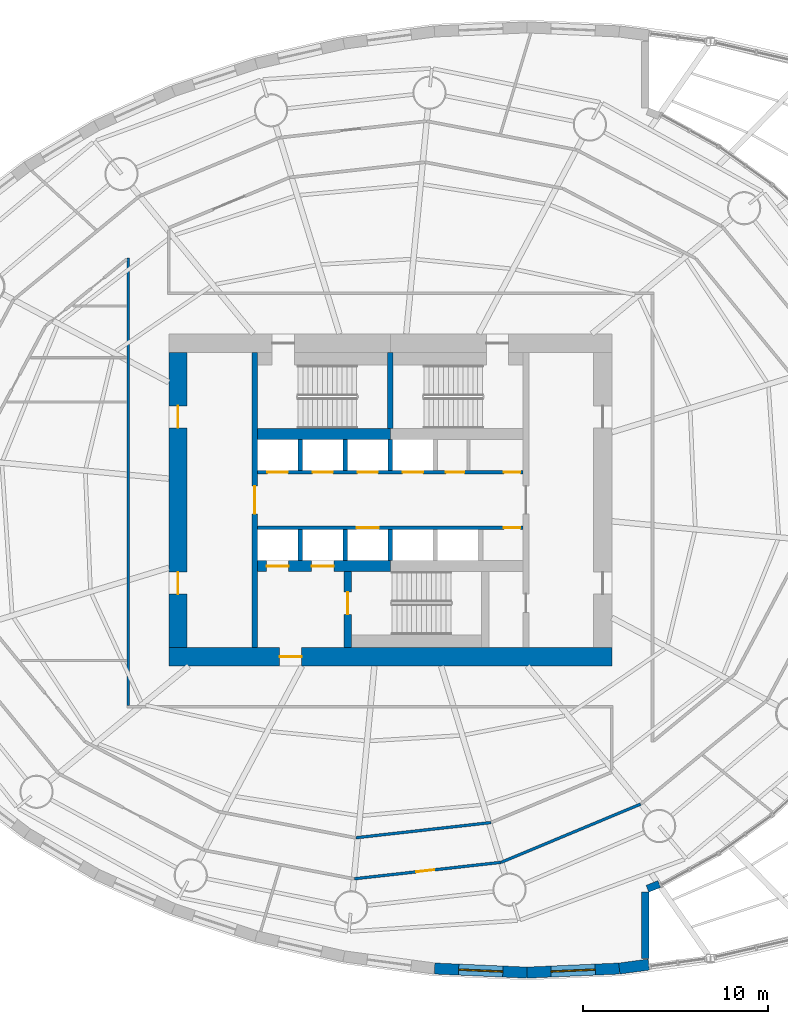
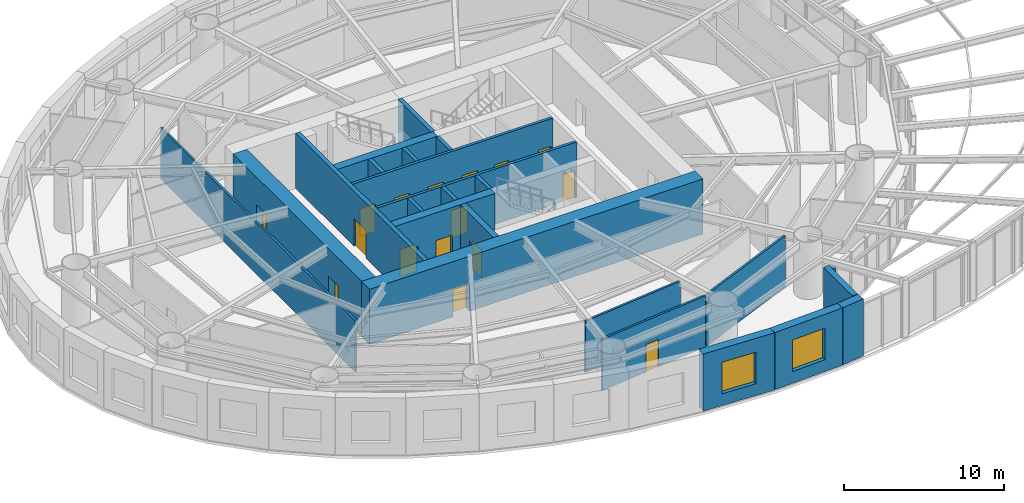
# One storey, part 19 of 23: 24 walls, 16 doors, 2 windows, 18 openings.
"""IFC4 building model written with IfcOpenShell, lengths in metres."""

from ifc_helpers import new_model, si_unit, direction, frame, frame_2d, origin, place, context, subcontext, project, spatial, rectangle, extrude, material, layer, layer_set, type_object, element, fill, save


model = new_model("IFC4")

# Units and contexts
model_context = context("Model", 3, precision=1e-05, world=origin(), true_north=direction((0.0, 1.0)))
body_context = subcontext(model_context, "Body", "Model", "MODEL_VIEW")
ifc_project = project(units=[si_unit("LENGTHUNIT", "METRE"), si_unit("AREAUNIT", "SQUARE_METRE"), si_unit("VOLUMEUNIT", "CUBIC_METRE"), si_unit("PLANEANGLEUNIT", "RADIAN"), si_unit("MASSUNIT", "GRAM", prefix="KILO")], contexts=[model_context])

# Site, building, storey
site_placement = place(None, origin())
site = spatial("IfcSite", under=ifc_project, at=site_placement, CompositionType="ELEMENT")
building_placement = place(site_placement, origin())
building = spatial("IfcBuilding", under=site, at=building_placement, Name="Vermilion Reach Broadcast Tower", CompositionType="ELEMENT")
storey_placement = place(building_placement, frame((0.0, 0.0, 31.5)))
storey = spatial("IfcBuildingStorey", under=building, at=storey_placement, Name="L04", CompositionType="ELEMENT", Elevation=31.5)

# Walls
ifc_material_1 = material(Name="Precast concrete C40/50 with acoustic cladding", Category="concrete")
ifc_layer_1 = layer(ifc_material_1, 0.39990234375)
ifc_layer_set_1 = layer_set([ifc_layer_1], Name="Atrium end wall 400")
wall_type_1 = type_object("IfcWallType", Name="Atrium end wall 400", PredefinedType="SOLIDWALL", material=ifc_layer_set_1)
wall_1_placement = place(storey_placement, frame((7.800048828125, -21.245849609375, 0.0), z_axis=(0.0, 0.0, 1.0), x_axis=(0.0, -1.0, 0.0)))
element("IfcWall", 1, at=wall_1_placement, inside=storey, type_object=wall_type_1, Name="Atrium end wall L04 2", PredefinedType="SOLIDWALL", context=body_context, shape_type="SweptSolid", body=[
    extrude(rectangle(XDim=3.599365234375, YDim=0.39990234375, at=frame_2d((1.7998046875, 0.0))), origin(), (0.0, 0.0, 1.0), 4.35009765625),
])
ifc_material_2 = material(Name="Precast concrete C40/50 with acoustic cladding", Category="concrete")
ifc_layer_2 = layer(ifc_material_2, 0.39990234375)
ifc_layer_set_2 = layer_set([ifc_layer_2], Name="Atrium end wall 400, head 488 below soffit")
wall_type_2 = type_object("IfcWallType", Name="Atrium end wall 400, head 488 below soffit", PredefinedType="SOLIDWALL", material=ifc_layer_set_2)
wall_2_placement = place(storey_placement, frame((8.57080078125, -20.799560546875, 0.0), z_axis=(0.0, 0.0, 1.0), x_axis=(-0.927141159757, -0.374712249444, 0.0)))
element("IfcWall", 2, at=wall_2_placement, inside=storey, type_object=wall_type_2, Name="Podium wall L04 dru17", PredefinedType="SOLIDWALL", context=body_context, shape_type="SweptSolid", body=[
    extrude(rectangle(XDim=0.696533203125, YDim=0.39990234375, at=frame_2d((0.34814453125, 0.0))), origin(), (0.0, 0.0, 1.0), 3.862060546875),
])

# Wall, opening, door
ifc_material_3 = material(Name="Concrete C70", Category="concrete")
ifc_layer_3 = layer(ifc_material_3, 0.300048828125)
ifc_layer_set_3 = layer_set([ifc_layer_3], Name="Core inner wall 300 mm Concrete C70")
wall_type_3 = type_object("IfcWallType", Name="Core inner wall 300 mm Concrete C70", PredefinedType="SHEAR", material=ifc_layer_set_3)
wall_3_placement = place(storey_placement, frame((-13.35009765625, 8.0, 0.0), z_axis=(0.0, 0.0, 1.0), x_axis=(0.0, -1.0, 0.0)))
wall_3 = element("IfcWall", 3, at=wall_3_placement, inside=storey, type_object=wall_type_3, Name="L04 core wall ewW", PredefinedType="SHEAR", context=body_context, shape_type="SweptSolid", body=[
    extrude(rectangle(XDim=16.0, YDim=0.300048828125, at=frame_2d((8.0, 0.0))), origin(), (0.0, 0.0, 1.0), 4.199951171875),
])
opening_1_placement = place(wall_3_placement, frame((7.25, 0.0, 0.0)))
opening_1 = element("IfcOpeningElement", 4, at=opening_1_placement, cuts=wall_3, Name="Opening D04", PredefinedType="OPENING", context=body_context, shape_type="SweptSolid", body=[
    extrude(rectangle(XDim=1.5, YDim=2.10009765625, at=frame_2d((0.75, 1.050048828125))), frame((0.0, 0.159912109375, 0.0), z_axis=(0.0, -1.0, 0.0), x_axis=(1.0, 0.0, 0.0)), (0.0, 0.0, 1.0), 0.320068359375),
])
ifc_material_4 = material(Name="Painted steel fire door", Category="steel")
door_type_1 = type_object("IfcDoorType", Name="Lift lobby door 1500 x 2100", OperationType="DOUBLE_DOOR_SINGLE_SWING", PredefinedType="NOTDEFINED", material=ifc_material_4)
door_1_placement = place(opening_1_placement, origin())
door_1 = element("IfcDoor", 5, at=door_1_placement, inside=storey, type_object=door_type_1, Name="L04 band door BW", OperationType="DOUBLE_DOOR_SINGLE_SWING", OverallHeight=2.10009765625, OverallWidth=1.5, PredefinedType="NOTDEFINED", context=body_context, shape_type="SweptSolid", body=[
    extrude(rectangle(XDim=1.5, YDim=2.10009765625, at=frame_2d((0.75, 1.050048828125))), frame((0.0, 0.02490234375, 0.0), z_axis=(0.0, -1.0, 0.0), x_axis=(1.0, 0.0, 0.0)), (0.0, 0.0, 1.0), 0.050048828125),
])
fill(opening_1, door_1)

# Wall
wall_4_placement = place(storey_placement, frame((-6.0, 3.8798828125, 0.0), z_axis=(0.0, 0.0, 1.0), x_axis=(0.0, 1.0, 0.0)))
element("IfcWall", 6, at=wall_4_placement, inside=storey, type_object=wall_type_3, Name="L04 core wall wc", PredefinedType="SHEAR", context=body_context, shape_type="SweptSolid", body=[
    extrude(rectangle(XDim=4.1201171875, YDim=0.300048828125, at=frame_2d((2.06005859375, 0.0))), origin(), (0.0, 0.0, 1.0), 4.199951171875),
])

# Wall, opening, door
ifc_material_5 = material(Name="Concrete C70", Category="concrete")
ifc_layer_4 = layer(ifc_material_5, 0.39990234375)
ifc_layer_set_4 = layer_set([ifc_layer_4], Name="Core inner wall 400 mm Concrete C70")
wall_type_4 = type_object("IfcWallType", Name="Core inner wall 400 mm Concrete C70", PredefinedType="SHEAR", material=ifc_layer_set_4)
wall_5_placement = place(storey_placement, frame((-8.300048828125, -3.8798828125, 0.0), z_axis=(0.0, 0.0, 1.0), x_axis=(0.0, -1.0, 0.0)))
wall_5 = element("IfcWall", 7, at=wall_5_placement, inside=storey, type_object=wall_type_4, Name="L04 core wall wa", PredefinedType="SHEAR", context=body_context, shape_type="SweptSolid", body=[
    extrude(rectangle(XDim=4.1201171875, YDim=0.39990234375, at=frame_2d((2.06005859375, 0.0))), origin(), (0.0, 0.0, 1.0), 4.199951171875),
])
opening_2_placement = place(wall_5_placement, frame((1.110107421875, 0.0, 0.0)))
opening_2 = element("IfcOpeningElement", 8, at=opening_2_placement, cuts=wall_5, Name="Opening D01", PredefinedType="OPENING", context=body_context, shape_type="SweptSolid", body=[
    extrude(rectangle(XDim=1.199951171875, YDim=2.10009765625, at=frame_2d((0.60009765625, 1.050048828125))), frame((0.0, 0.2099609375, 0.0), z_axis=(0.0, -1.0, 0.0), x_axis=(1.0, 0.0, 0.0)), (0.0, 0.0, 1.0), 0.419921875),
])
ifc_material_6 = material(Name="Painted steel fire door", Category="steel")
door_type_2 = type_object("IfcDoorType", Name="Stair door 1200 x 2100", OperationType="DOUBLE_DOOR_SINGLE_SWING", PredefinedType="NOTDEFINED", material=ifc_material_6)
door_2_placement = place(opening_2_placement, origin())
door_2 = element("IfcDoor", 9, at=door_2_placement, inside=storey, type_object=door_type_2, Name="L04 stair door ST3", OperationType="DOUBLE_DOOR_SINGLE_SWING", OverallHeight=2.10009765625, OverallWidth=1.199951171875, PredefinedType="NOTDEFINED", context=body_context, shape_type="SweptSolid", body=[
    extrude(rectangle(XDim=1.199951171875, YDim=2.10009765625, at=frame_2d((0.60009765625, 1.050048828125))), frame((0.0, 0.02490234375, 0.0), z_axis=(0.0, -1.0, 0.0), x_axis=(1.0, 0.0, 0.0)), (0.0, 0.0, 1.0), 0.050048828125),
])
fill(opening_2, door_2)

# Wall
ifc_material_7 = material(Name="Concrete C70", Category="concrete")
ifc_layer_5 = layer(ifc_material_7, 0.60009765625)
ifc_layer_set_5 = layer_set([ifc_layer_5], Name="Core inner wall 600 mm Concrete C70")
wall_type_5 = type_object("IfcWallType", Name="Core inner wall 600 mm Concrete C70", PredefinedType="SHEAR", material=ifc_layer_set_5)
wall_6_placement = place(storey_placement, frame((-13.199951171875, 3.580078125, 0.0), z_axis=(0.0, 0.0, 1.0), x_axis=(1.0, 0.0, 0.0)))
element("IfcWall", 10, at=wall_6_placement, inside=storey, type_object=wall_type_5, Name="L04 core wall winW", PredefinedType="SHEAR", context=body_context, shape_type="SweptSolid", body=[
    extrude(rectangle(XDim=7.199951171875, YDim=0.60009765625, at=frame_2d((3.60009765625, 0.0))), origin(), (0.0, 0.0, 1.0), 4.199951171875),
])

# Wall, openings, doors
wall_7_placement = place(storey_placement, frame((-13.199951171875, -3.580078125, 0.0), z_axis=(0.0, 0.0, 1.0), x_axis=(1.0, 0.0, 0.0)))
wall_7 = element("IfcWall", 11, at=wall_7_placement, inside=storey, type_object=wall_type_5, Name="L04 core wall wisW", PredefinedType="SHEAR", context=body_context, shape_type="SweptSolid", body=[
    extrude(rectangle(XDim=7.199951171875, YDim=0.60009765625, at=frame_2d((3.60009765625, 0.0))), origin(), (0.0, 0.0, 1.0), 4.199951171875),
])
opening_3_placement = place(wall_7_placement, frame((0.495849609375, 0.0, 0.0)))
opening_3 = element("IfcOpeningElement", 12, at=opening_3_placement, cuts=wall_7, Name="Opening LD1", PredefinedType="OPENING", context=body_context, shape_type="SweptSolid", body=[
    extrude(rectangle(XDim=1.199951171875, YDim=2.10009765625, at=frame_2d((0.60009765625, 1.050048828125))), frame((0.0, 0.31005859375, 0.0), z_axis=(0.0, -1.0, 0.0), x_axis=(1.0, 0.0, 0.0)), (0.0, 0.0, 1.0), 0.6201171875),
])
opening_4_placement = place(wall_7_placement, frame((2.9375, 0.0, 0.0)))
opening_4 = element("IfcOpeningElement", 13, at=opening_4_placement, cuts=wall_7, Name="Opening LD1", PredefinedType="OPENING", context=body_context, shape_type="SweptSolid", body=[
    extrude(rectangle(XDim=1.199951171875, YDim=2.10009765625, at=frame_2d((0.60009765625, 1.050048828125))), frame((0.0, 0.31005859375, 0.0), z_axis=(0.0, -1.0, 0.0), x_axis=(1.0, 0.0, 0.0)), (0.0, 0.0, 1.0), 0.6201171875),
])
ifc_material_8 = material(Name="Stainless steel", Category="steel")
door_type_3 = type_object("IfcDoorType", Name="Landing door 1200 x 2100", OperationType="DOUBLE_DOOR_SLIDING", PredefinedType="NOTDEFINED", material=ifc_material_8)
door_3_placement = place(opening_3_placement, origin())
door_3 = element("IfcDoor", 14, at=door_3_placement, inside=storey, type_object=door_type_3, Name="L04 landing door FF1", OperationType="DOUBLE_DOOR_SLIDING", OverallHeight=2.10009765625, OverallWidth=1.199951171875, PredefinedType="NOTDEFINED", context=body_context, shape_type="SweptSolid", body=[
    extrude(rectangle(XDim=1.199951171875, YDim=2.10009765625, at=frame_2d((0.60009765625, 1.050048828125))), frame((0.0, 0.02490234375, 0.0), z_axis=(0.0, -1.0, 0.0), x_axis=(1.0, 0.0, 0.0)), (0.0, 0.0, 1.0), 0.050048828125),
])
fill(opening_3, door_3)
door_4_placement = place(opening_4_placement, origin())
door_4 = element("IfcDoor", 15, at=door_4_placement, inside=storey, type_object=door_type_3, Name="L04 landing door FF2", OperationType="DOUBLE_DOOR_SLIDING", OverallHeight=2.10009765625, OverallWidth=1.199951171875, PredefinedType="NOTDEFINED", context=body_context, shape_type="SweptSolid", body=[
    extrude(rectangle(XDim=1.199951171875, YDim=2.10009765625, at=frame_2d((0.60009765625, 1.050048828125))), frame((0.0, 0.02490234375, 0.0), z_axis=(0.0, -1.0, 0.0), x_axis=(1.0, 0.0, 0.0)), (0.0, 0.0, 1.0), 0.050048828125),
])
fill(opening_4, door_4)

# Wall, opening, door
ifc_material_9 = material(Name="Concrete C70", Category="concrete")
ifc_layer_6 = layer(ifc_material_9, 1.0)
ifc_layer_set_6 = layer_set([ifc_layer_6], Name="Core outer wall 1000 mm Concrete C70")
wall_type_6 = type_object("IfcWallType", Name="Core outer wall 1000 mm Concrete C70", PredefinedType="SHEAR", material=ifc_layer_set_6)
wall_8_placement = place(storey_placement, frame((-18.0, -8.5, 0.0), z_axis=(0.0, 0.0, 1.0), x_axis=(1.0, 0.0, 0.0)))
wall_8 = element("IfcWall", 16, at=wall_8_placement, inside=storey, type_object=wall_type_6, Name="L04 core wall os", PredefinedType="SHEAR", context=body_context, shape_type="SweptSolid", body=[
    extrude(rectangle(XDim=24.0, YDim=1.0, at=frame_2d((12.0, 0.0))), origin(), (0.0, 0.0, 1.0), 4.199951171875),
])
opening_5_placement = place(wall_8_placement, frame((6.0, 0.0, 0.0)))
opening_5 = element("IfcOpeningElement", 17, at=opening_5_placement, cuts=wall_8, Name="Opening D02", PredefinedType="OPENING", context=body_context, shape_type="SweptSolid", body=[
    extrude(rectangle(XDim=1.199951171875, YDim=2.10009765625, at=frame_2d((0.60009765625, 1.050048828125))), frame((0.0, 0.510009765625, 0.0), z_axis=(0.0, -1.0, 0.0), x_axis=(1.0, 0.0, 0.0)), (0.0, 0.0, 1.0), 1.02001953125),
])
ifc_material_10 = material(Name="Painted steel fire door", Category="steel")
door_type_4 = type_object("IfcDoorType", Name="Firefighting lobby door 1200 x 2100", OperationType="DOUBLE_DOOR_SINGLE_SWING", PredefinedType="NOTDEFINED", material=ifc_material_10)
door_5_placement = place(opening_5_placement, origin())
door_5 = element("IfcDoor", 18, at=door_5_placement, inside=storey, type_object=door_type_4, Name="L04 ffdoor door FFL", OperationType="DOUBLE_DOOR_SINGLE_SWING", OverallHeight=2.10009765625, OverallWidth=1.199951171875, PredefinedType="NOTDEFINED", context=body_context, shape_type="SweptSolid", body=[
    extrude(rectangle(XDim=1.199951171875, YDim=2.10009765625, at=frame_2d((0.60009765625, 1.050048828125))), frame((0.0, 0.02490234375, 0.0), z_axis=(0.0, -1.0, 0.0), x_axis=(1.0, 0.0, 0.0)), (0.0, 0.0, 1.0), 0.050048828125),
])
fill(opening_5, door_5)

# Wall, openings, doors
wall_9_placement = place(storey_placement, frame((-17.5, 8.0, 0.0), z_axis=(0.0, 0.0, 1.0), x_axis=(0.0, -1.0, 0.0)))
wall_9 = element("IfcWall", 19, at=wall_9_placement, inside=storey, type_object=wall_type_6, Name="L04 core wall ow", PredefinedType="SHEAR", context=body_context, shape_type="SweptSolid", body=[
    extrude(rectangle(XDim=16.0, YDim=1.0, at=frame_2d((8.0, 0.0))), origin(), (0.0, 0.0, 1.0), 4.199951171875),
])
opening_6_placement = place(wall_9_placement, frame((11.89990234375, 0.0, 0.0)))
opening_6 = element("IfcOpeningElement", 20, at=opening_6_placement, cuts=wall_9, Name="Opening D03", PredefinedType="OPENING", context=body_context, shape_type="SweptSolid", body=[
    extrude(rectangle(XDim=1.199951171875, YDim=2.10009765625, at=frame_2d((0.60009765625, 1.050048828125))), frame((0.0, 0.510009765625, 0.0), z_axis=(0.0, -1.0, 0.0), x_axis=(1.0, 0.0, 0.0)), (0.0, 0.0, 1.0), 1.02001953125),
])
opening_7_placement = place(wall_9_placement, frame((2.89990234375, 0.0, 0.0)))
opening_7 = element("IfcOpeningElement", 21, at=opening_7_placement, cuts=wall_9, Name="Opening D03", PredefinedType="OPENING", context=body_context, shape_type="SweptSolid", body=[
    extrude(rectangle(XDim=1.199951171875, YDim=2.10009765625, at=frame_2d((0.60009765625, 1.050048828125))), frame((0.0, 0.510009765625, 0.0), z_axis=(0.0, -1.0, 0.0), x_axis=(1.0, 0.0, 0.0)), (0.0, 0.0, 1.0), 1.02001953125),
])
ifc_material_11 = material(Name="Painted steel fire door", Category="steel")
door_type_5 = type_object("IfcDoorType", Name="Core lobby door 1200 x 2100", OperationType="DOUBLE_DOOR_SINGLE_SWING", PredefinedType="NOTDEFINED", material=ifc_material_11)
door_6_placement = place(opening_6_placement, origin())
door_6 = element("IfcDoor", 22, at=door_6_placement, inside=storey, type_object=door_type_5, Name="L04 slot door W0", OperationType="DOUBLE_DOOR_SINGLE_SWING", OverallHeight=2.10009765625, OverallWidth=1.199951171875, PredefinedType="NOTDEFINED", context=body_context, shape_type="SweptSolid", body=[
    extrude(rectangle(XDim=1.199951171875, YDim=2.10009765625, at=frame_2d((0.60009765625, 1.050048828125))), frame((0.0, 0.02490234375, 0.0), z_axis=(0.0, -1.0, 0.0), x_axis=(1.0, 0.0, 0.0)), (0.0, 0.0, 1.0), 0.050048828125),
])
fill(opening_6, door_6)
door_7_placement = place(opening_7_placement, origin())
door_7 = element("IfcDoor", 23, at=door_7_placement, inside=storey, type_object=door_type_5, Name="L04 slot door W1", OperationType="DOUBLE_DOOR_SINGLE_SWING", OverallHeight=2.10009765625, OverallWidth=1.199951171875, PredefinedType="NOTDEFINED", context=body_context, shape_type="SweptSolid", body=[
    extrude(rectangle(XDim=1.199951171875, YDim=2.10009765625, at=frame_2d((0.60009765625, 1.050048828125))), frame((0.0, 0.02490234375, 0.0), z_axis=(0.0, -1.0, 0.0), x_axis=(1.0, 0.0, 0.0)), (0.0, 0.0, 1.0), 0.050048828125),
])
fill(opening_7, door_7)

ifc_material_12 = material(Name="Concrete C50", Category="concrete")
ifc_layer_7 = layer(ifc_material_12, 0.199951171875)
ifc_layer_set_7 = layer_set([ifc_layer_7], Name="Core shaft wall 200 mm Concrete C50")
wall_type_7 = type_object("IfcWallType", Name="Core shaft wall 200 mm Concrete C50", PredefinedType="SHEAR", material=ifc_layer_set_7)
wall_10_placement = place(storey_placement, frame((-13.199951171875, 1.5, 0.0), z_axis=(0.0, 0.0, 1.0), x_axis=(1.0, 0.0, 0.0)))
wall_10 = element("IfcWall", 24, at=wall_10_placement, inside=storey, type_object=wall_type_7, Name="L04 core wall fn", PredefinedType="SHEAR", context=body_context, shape_type="SweptSolid", body=[
    extrude(rectangle(XDim=14.39990234375, YDim=0.199951171875, at=frame_2d((7.199951171875, 0.0))), origin(), (0.0, 0.0, 1.0), 4.199951171875),
])
opening_8_placement = place(wall_10_placement, frame((0.5458984375, 0.0, 0.0)))
opening_8 = element("IfcOpeningElement", 25, at=opening_8_placement, cuts=wall_10, Name="Opening LD2", PredefinedType="OPENING", context=body_context, shape_type="SweptSolid", body=[
    extrude(rectangle(XDim=1.10009765625, YDim=2.10009765625, at=frame_2d((0.550048828125, 1.050048828125))), frame((0.0, 0.10986328125, 0.0), z_axis=(0.0, -1.0, 0.0), x_axis=(1.0, 0.0, 0.0)), (0.0, 0.0, 1.0), 0.219970703125),
])
opening_9_placement = place(wall_10_placement, frame((2.987548828125, 0.0, 0.0)))
opening_9 = element("IfcOpeningElement", 26, at=opening_9_placement, cuts=wall_10, Name="Opening LD2", PredefinedType="OPENING", context=body_context, shape_type="SweptSolid", body=[
    extrude(rectangle(XDim=1.10009765625, YDim=2.10009765625, at=frame_2d((0.550048828125, 1.050048828125))), frame((0.0, 0.10986328125, 0.0), z_axis=(0.0, -1.0, 0.0), x_axis=(1.0, 0.0, 0.0)), (0.0, 0.0, 1.0), 0.219970703125),
])
opening_10_placement = place(wall_10_placement, frame((5.42919921875, 0.0, 0.0)))
opening_10 = element("IfcOpeningElement", 27, at=opening_10_placement, cuts=wall_10, Name="Opening LD2", PredefinedType="OPENING", context=body_context, shape_type="SweptSolid", body=[
    extrude(rectangle(XDim=1.10009765625, YDim=2.10009765625, at=frame_2d((0.550048828125, 1.050048828125))), frame((0.0, 0.10986328125, 0.0), z_axis=(0.0, -1.0, 0.0), x_axis=(1.0, 0.0, 0.0)), (0.0, 0.0, 1.0), 0.219970703125),
])
opening_11_placement = place(wall_10_placement, frame((7.870849609375, 0.0, 0.0)))
opening_11 = element("IfcOpeningElement", 28, at=opening_11_placement, cuts=wall_10, Name="Opening LD2", PredefinedType="OPENING", context=body_context, shape_type="SweptSolid", body=[
    extrude(rectangle(XDim=1.10009765625, YDim=2.10009765625, at=frame_2d((0.550048828125, 1.050048828125))), frame((0.0, 0.10986328125, 0.0), z_axis=(0.0, -1.0, 0.0), x_axis=(1.0, 0.0, 0.0)), (0.0, 0.0, 1.0), 0.219970703125),
])
opening_12_placement = place(wall_10_placement, frame((10.209716796875, 0.0, 0.0)))
opening_12 = element("IfcOpeningElement", 29, at=opening_12_placement, cuts=wall_10, Name="Opening D07", PredefinedType="OPENING", context=body_context, shape_type="SweptSolid", body=[
    extrude(rectangle(XDim=1.0, YDim=2.10009765625, at=frame_2d((0.5, 1.050048828125))), frame((0.0, 0.10986328125, 0.0), z_axis=(0.0, -1.0, 0.0), x_axis=(1.0, 0.0, 0.0)), (0.0, 0.0, 1.0), 0.219970703125),
])
opening_13_placement = place(wall_10_placement, frame((13.35009765625, 0.0, 0.0)))
opening_13 = element("IfcOpeningElement", 30, at=opening_13_placement, cuts=wall_10, Name="Opening D06", PredefinedType="OPENING", context=body_context, shape_type="SweptSolid", body=[
    extrude(rectangle(XDim=0.89990234375, YDim=2.10009765625, at=frame_2d((0.449951171875, 1.050048828125))), frame((0.0, 0.10986328125, 0.0), z_axis=(0.0, -1.0, 0.0), x_axis=(1.0, 0.0, 0.0)), (0.0, 0.0, 1.0), 0.219970703125),
])
ifc_material_13 = material(Name="Timber door", Category="wood")
door_type_6 = type_object("IfcDoorType", Name="Accessible WC door 1000 x 2100", OperationType="NOTDEFINED", PredefinedType="NOTDEFINED", material=ifc_material_13)
door_8_placement = place(opening_12_placement, origin())
door_8 = element("IfcDoor", 31, at=door_8_placement, inside=storey, type_object=door_type_6, Name="L04 door Accessible WC", OperationType="SINGLE_SWING_RIGHT", OverallHeight=2.10009765625, OverallWidth=1.0, PredefinedType="NOTDEFINED", context=body_context, shape_type="SweptSolid", body=[
    extrude(rectangle(XDim=1.0, YDim=2.10009765625, at=frame_2d((0.5, 1.050048828125))), frame((0.0, 0.02490234375, 0.0), z_axis=(0.0, -1.0, 0.0), x_axis=(1.0, 0.0, 0.0)), (0.0, 0.0, 1.0), 0.050048828125),
])
fill(opening_12, door_8)
ifc_material_14 = material(Name="Stainless steel", Category="steel")
door_type_7 = type_object("IfcDoorType", Name="Landing door 1100 x 2100", OperationType="DOUBLE_DOOR_SLIDING", PredefinedType="NOTDEFINED", material=ifc_material_14)
door_9_placement = place(opening_8_placement, origin())
door_9 = element("IfcDoor", 32, at=door_9_placement, inside=storey, type_object=door_type_7, Name="L04 landing door LR1", OperationType="DOUBLE_DOOR_SLIDING", OverallHeight=2.10009765625, OverallWidth=1.10009765625, PredefinedType="NOTDEFINED", context=body_context, shape_type="SweptSolid", body=[
    extrude(rectangle(XDim=1.10009765625, YDim=2.10009765625, at=frame_2d((0.550048828125, 1.050048828125))), frame((0.0, 0.02490234375, 0.0), z_axis=(0.0, -1.0, 0.0), x_axis=(1.0, 0.0, 0.0)), (0.0, 0.0, 1.0), 0.050048828125),
])
fill(opening_8, door_9)
door_10_placement = place(opening_9_placement, origin())
door_10 = element("IfcDoor", 33, at=door_10_placement, inside=storey, type_object=door_type_7, Name="L04 landing door LR2", OperationType="DOUBLE_DOOR_SLIDING", OverallHeight=2.10009765625, OverallWidth=1.10009765625, PredefinedType="NOTDEFINED", context=body_context, shape_type="SweptSolid", body=[
    extrude(rectangle(XDim=1.10009765625, YDim=2.10009765625, at=frame_2d((0.550048828125, 1.050048828125))), frame((0.0, 0.02490234375, 0.0), z_axis=(0.0, -1.0, 0.0), x_axis=(1.0, 0.0, 0.0)), (0.0, 0.0, 1.0), 0.050048828125),
])
fill(opening_9, door_10)
door_11_placement = place(opening_10_placement, origin())
door_11 = element("IfcDoor", 34, at=door_11_placement, inside=storey, type_object=door_type_7, Name="L04 landing door LR3", OperationType="DOUBLE_DOOR_SLIDING", OverallHeight=2.10009765625, OverallWidth=1.10009765625, PredefinedType="NOTDEFINED", context=body_context, shape_type="SweptSolid", body=[
    extrude(rectangle(XDim=1.10009765625, YDim=2.10009765625, at=frame_2d((0.550048828125, 1.050048828125))), frame((0.0, 0.02490234375, 0.0), z_axis=(0.0, -1.0, 0.0), x_axis=(1.0, 0.0, 0.0)), (0.0, 0.0, 1.0), 0.050048828125),
])
fill(opening_10, door_11)
door_12_placement = place(opening_11_placement, origin())
door_12 = element("IfcDoor", 35, at=door_12_placement, inside=storey, type_object=door_type_7, Name="L04 landing door LR4", OperationType="DOUBLE_DOOR_SLIDING", OverallHeight=2.10009765625, OverallWidth=1.10009765625, PredefinedType="NOTDEFINED", context=body_context, shape_type="SweptSolid", body=[
    extrude(rectangle(XDim=1.10009765625, YDim=2.10009765625, at=frame_2d((0.550048828125, 1.050048828125))), frame((0.0, 0.02490234375, 0.0), z_axis=(0.0, -1.0, 0.0), x_axis=(1.0, 0.0, 0.0)), (0.0, 0.0, 1.0), 0.050048828125),
])
fill(opening_11, door_12)
ifc_material_15 = material(Name="Timber door", Category="wood")
door_type_8 = type_object("IfcDoorType", Name="WC door 900 x 2100", OperationType="NOTDEFINED", PredefinedType="NOTDEFINED", material=ifc_material_15)
door_13_placement = place(opening_13_placement, origin())
door_13 = element("IfcDoor", 36, at=door_13_placement, inside=storey, type_object=door_type_8, Name="L04 door Female WC", OperationType="SINGLE_SWING_RIGHT", OverallHeight=2.10009765625, OverallWidth=0.89990234375, PredefinedType="NOTDEFINED", context=body_context, shape_type="SweptSolid", body=[
    extrude(rectangle(XDim=0.89990234375, YDim=2.10009765625, at=frame_2d((0.449951171875, 1.050048828125))), frame((0.0, 0.02490234375, 0.0), z_axis=(0.0, -1.0, 0.0), x_axis=(1.0, 0.0, 0.0)), (0.0, 0.0, 1.0), 0.050048828125),
])
fill(opening_13, door_13)

wall_11_placement = place(storey_placement, frame((1.199951171875, -1.5, 0.0), z_axis=(0.0, 0.0, 1.0), x_axis=(-1.0, 0.0, 0.0)))
wall_11 = element("IfcWall", 37, at=wall_11_placement, inside=storey, type_object=wall_type_7, Name="L04 core wall fs", PredefinedType="SHEAR", context=body_context, shape_type="SweptSolid", body=[
    extrude(rectangle(XDim=14.39990234375, YDim=0.199951171875, at=frame_2d((7.199951171875, 0.0))), origin(), (0.0, 0.0, 1.0), 4.199951171875),
])
opening_14_placement = place(wall_11_placement, frame((7.82080078125, 0.0, 0.0)))
opening_14 = element("IfcOpeningElement", 38, at=opening_14_placement, cuts=wall_11, Name="Opening LD1", PredefinedType="OPENING", context=body_context, shape_type="SweptSolid", body=[
    extrude(rectangle(XDim=1.199951171875, YDim=2.10009765625, at=frame_2d((0.60009765625, 1.050048828125))), frame((0.0, 0.10986328125, 0.0), z_axis=(0.0, -1.0, 0.0), x_axis=(1.0, 0.0, 0.0)), (0.0, 0.0, 1.0), 0.219970703125),
])
opening_15_placement = place(wall_11_placement, frame((0.14990234375, 0.0, 0.0)))
opening_15 = element("IfcOpeningElement", 39, at=opening_15_placement, cuts=wall_11, Name="Opening D06", PredefinedType="OPENING", context=body_context, shape_type="SweptSolid", body=[
    extrude(rectangle(XDim=0.89990234375, YDim=2.10009765625, at=frame_2d((0.449951171875, 1.050048828125))), frame((0.0, 0.10986328125, 0.0), z_axis=(0.0, -1.0, 0.0), x_axis=(1.0, 0.0, 0.0)), (0.0, 0.0, 1.0), 0.219970703125),
])
door_14_placement = place(opening_14_placement, origin())
door_14 = element("IfcDoor", 40, at=door_14_placement, inside=storey, type_object=door_type_3, Name="L04 landing door SV1", OperationType="DOUBLE_DOOR_SLIDING", OverallHeight=2.10009765625, OverallWidth=1.199951171875, PredefinedType="NOTDEFINED", context=body_context, shape_type="SweptSolid", body=[
    extrude(rectangle(XDim=1.199951171875, YDim=2.10009765625, at=frame_2d((0.60009765625, 1.050048828125))), frame((0.0, 0.02490234375, 0.0), z_axis=(0.0, -1.0, 0.0), x_axis=(1.0, 0.0, 0.0)), (0.0, 0.0, 1.0), 0.050048828125),
])
fill(opening_14, door_14)
door_15_placement = place(opening_15_placement, origin())
door_15 = element("IfcDoor", 41, at=door_15_placement, inside=storey, type_object=door_type_8, Name="L04 door Male WC", OperationType="SINGLE_SWING_LEFT", OverallHeight=2.10009765625, OverallWidth=0.89990234375, PredefinedType="NOTDEFINED", context=body_context, shape_type="SweptSolid", body=[
    extrude(rectangle(XDim=0.89990234375, YDim=2.10009765625, at=frame_2d((0.449951171875, 1.050048828125))), frame((0.0, 0.02490234375, 0.0), z_axis=(0.0, -1.0, 0.0), x_axis=(1.0, 0.0, 0.0)), (0.0, 0.0, 1.0), 0.050048828125),
])
fill(opening_15, door_15)

# Walls
ifc_material_16 = material(Name="Concrete C50", Category="concrete")
ifc_layer_8 = layer(ifc_material_16, 0.25)
ifc_layer_set_8 = layer_set([ifc_layer_8], Name="Core shaft wall 250 mm Concrete C50")
wall_type_8 = type_object("IfcWallType", Name="Core shaft wall 250 mm Concrete C50", PredefinedType="SHEAR", material=ifc_layer_set_8)
for number, where, z_axis, x_axis, name in (
    (42, (-10.88330078125, 1.60009765625, 0.0), (0.0, 0.0, 1.0), (0.0, 1.0, 0.0), "L04 core wall psN0"),
    (43, (-8.441650390625, 1.60009765625, 0.0), (0.0, 0.0, 1.0), (0.0, 1.0, 0.0), "L04 core wall psN1"),
    (44, (-6.0, 1.60009765625, 0.0), (0.0, 0.0, 1.0), (0.0, 1.0, 0.0), "L04 core wall psN2"),
    (45, (-10.88330078125, -1.60009765625, 0.0), (0.0, 0.0, 1.0), (0.0, -1.0, 0.0), "L04 core wall psS0"),
    (46, (-8.441650390625, -1.60009765625, 0.0), (0.0, 0.0, 1.0), (0.0, -1.0, 0.0), "L04 core wall psS1"),
    (47, (-6.0, -1.60009765625, 0.0), (0.0, 0.0, 1.0), (0.0, -1.0, 0.0), "L04 core wall psS2"),
):
    element("IfcWall", number, at=place(storey_placement, frame(where, z_axis=z_axis, x_axis=x_axis)), inside=storey, type_object=wall_type_8, Name=name, PredefinedType="SHEAR", context=body_context, shape_type="SweptSolid", body=[
        extrude(rectangle(XDim=1.679931640625, YDim=0.25, at=frame_2d((0.83984375, 0.0))), origin(), (0.0, 0.0, 1.0), 4.199951171875),
    ])
ifc_material_17 = material(Name="Gypsum board partition")
ifc_layer_9 = layer(ifc_material_17, 0.14990234375)
ifc_layer_set_9 = layer_set([ifc_layer_9], Name="Corridor wall 150")
wall_type_9 = type_object("IfcWallType", Name="Corridor wall 150", PredefinedType="PARTITIONING", material=ifc_layer_set_9)
wall_12_placement = place(storey_placement, frame((-20.199951171875, -11.125, 0.0), z_axis=(0.0, 0.0, 1.0), x_axis=(0.0, 1.0, 0.0)))
element("IfcWall", 48, at=wall_12_placement, inside=storey, type_object=wall_type_9, Name="sp.wall.L04.002", PredefinedType="PARTITIONING", context=body_context, shape_type="SweptSolid", body=[
    extrude(rectangle(XDim=24.22998046875, YDim=0.14990234375, at=frame_2d((12.114990234375, 0.0))), origin(), (0.0, 0.0, 1.0), 3.89990234375),
])
wall_13_placement = place(storey_placement, frame((-7.86328125, -18.294921875, 0.0), z_axis=(0.0, 0.0, 1.0), x_axis=(0.993762113274, 0.111520680692, 0.0)))
element("IfcWall", 49, at=wall_13_placement, inside=storey, type_object=wall_type_9, Name="sp.wall.L04.025", PredefinedType="PARTITIONING", context=body_context, shape_type="SweptSolid", body=[
    extrude(rectangle(XDim=7.355712890625, YDim=0.14990234375, at=frame_2d((3.677734375, 0.0))), origin(), (0.0, 0.0, 1.0), 3.89990234375),
])

# Wall, opening, door
wall_14_placement = place(storey_placement, frame((-7.94921875, -20.518310546875, 0.0), z_axis=(0.0, 0.0, 1.0), x_axis=(0.993764533241, 0.11149911422, 0.0)))
wall_14 = element("IfcWall", 50, at=wall_14_placement, inside=storey, type_object=wall_type_9, Name="sp.wall.L04.044", PredefinedType="PARTITIONING", context=body_context, shape_type="SweptSolid", body=[
    extrude(rectangle(XDim=7.981201171875, YDim=0.14990234375, at=frame_2d((3.99072265625, 0.0))), origin(), (0.0, 0.0, 1.0), 3.89990234375),
])
opening_16_placement = place(wall_14_placement, frame((3.364990234375, 0.0, 0.0)))
opening_16 = element("IfcOpeningElement", 51, at=opening_16_placement, cuts=wall_14, Name="Opening D50", PredefinedType="OPENING", context=body_context, shape_type="SweptSolid", body=[
    extrude(rectangle(XDim=1.0, YDim=2.10009765625, at=frame_2d((0.5, 1.050048828125))), frame((0.0, 0.0849609375, 0.0), z_axis=(0.0, -1.0, 0.0), x_axis=(1.0, 0.0, 0.0)), (0.0, 0.0, 1.0), 0.169921875),
])
ifc_material_18 = material(Name="Timber and steel door set", Category="steel")
door_type_9 = type_object("IfcDoorType", Name="Door 1000x2100", OperationType="NOTDEFINED", PredefinedType="DOOR", material=ifc_material_18)
door_16_placement = place(opening_16_placement, origin())
door_16 = element("IfcDoor", 52, at=door_16_placement, inside=storey, type_object=door_type_9, Name="sp.door.L04.010", OperationType="SINGLE_SWING_RIGHT", OverallHeight=2.10009765625, OverallWidth=1.0, PredefinedType="DOOR", context=body_context, shape_type="SweptSolid", body=[
    extrude(rectangle(XDim=1.0, YDim=2.10009765625, at=frame_2d((0.5, 1.050048828125))), frame((0.0, 0.02490234375, 0.0), z_axis=(0.0, -1.0, 0.0), x_axis=(1.0, 0.0, 0.0)), (0.0, 0.0, 1.0), 0.050048828125),
])
fill(opening_16, door_16)

# Wall
wall_15_placement = place(storey_placement, frame((0.00390625, -19.6259765625, 0.0), z_axis=(0.0, 0.0, 1.0), x_axis=(0.922818121352, 0.385235921097, 0.0)))
element("IfcWall", 53, at=wall_15_placement, inside=storey, type_object=wall_type_9, Name="sp.wall.L04.045", PredefinedType="PARTITIONING", context=body_context, shape_type="SweptSolid", body=[
    extrude(rectangle(XDim=8.18408203125, YDim=0.14990234375, at=frame_2d((4.092041015625, 0.0))), origin(), (0.0, 0.0, 1.0), 3.89990234375),
])

# Wall, opening, window
ifc_material_19 = material(Name="Precast concrete C40/50 with acoustic cladding", Category="concrete")
ifc_layer_10 = layer(ifc_material_19, 0.60009765625)
ifc_layer_set_10 = layer_set([ifc_layer_10], Name="Podium acoustic wall 600")
wall_type_10 = type_object("IfcWallType", Name="Podium acoustic wall 600", PredefinedType="SOLIDWALL", material=ifc_layer_set_10)
wall_16_placement = place(storey_placement, frame((-3.60302734375, -25.379150390625, 0.0), z_axis=(0.0, 0.0, 1.0), x_axis=(0.999026213515, -0.044120570136, 0.0)))
wall_16 = element("IfcWall", 54, at=wall_16_placement, inside=storey, type_object=wall_type_10, Name="Podium wall L04 str25", PredefinedType="SOLIDWALL", context=body_context, shape_type="SweptSolid", body=[
    extrude(rectangle(XDim=5.0078125, YDim=0.60009765625, at=frame_2d((2.50390625, 0.0))), origin(), (0.0, 0.0, 1.0), 4.35009765625),
])
opening_17_placement = place(wall_16_placement, frame((1.303955078125, 0.0, 0.89990234375)))
opening_17 = element("IfcOpeningElement", 55, at=opening_17_placement, cuts=wall_16, Name="Opening W12", PredefinedType="OPENING", context=body_context, shape_type="SweptSolid", body=[
    extrude(rectangle(XDim=2.39990234375, YDim=2.39990234375, at=frame_2d((1.199951171875, 1.199951171875))), frame((0.0, 0.31005859375, 0.0), z_axis=(0.0, -1.0, 0.0), x_axis=(1.0, 0.0, 0.0)), (0.0, 0.0, 1.0), 0.6201171875),
])
ifc_material_20 = material(Name="Low-e laminated clear glass in aluminium frame", Category="aluminium")
window_type = type_object("IfcWindowType", Name="Newsroom window 2400 x 2400", PartitioningType="SINGLE_PANEL", PredefinedType="WINDOW", material=ifc_material_20)
window_1_placement = place(opening_17_placement, origin())
window_1 = element("IfcWindow", 56, at=window_1_placement, inside=storey, type_object=window_type, Name="Window L04 25", OverallHeight=2.39990234375, OverallWidth=2.39990234375, PartitioningType="SINGLE_PANEL", PredefinedType="WINDOW", context=body_context, shape_type="SweptSolid", body=[
    extrude(rectangle(XDim=2.39990234375, YDim=2.39990234375, at=frame_2d((1.199951171875, 1.199951171875))), frame((0.0, 0.030029296875, 0.0), z_axis=(0.0, -1.0, 0.0), x_axis=(1.0, 0.0, 0.0)), (0.0, 0.0, 1.0), 0.06005859375),
])
fill(opening_17, window_1)

wall_17_placement = place(storey_placement, frame((1.39990234375, -25.60009765625, 0.0), z_axis=(0.0, 0.0, 1.0), x_axis=(0.99902630841, 0.044118421369, 0.0)))
wall_17 = element("IfcWall", 57, at=wall_17_placement, inside=storey, type_object=wall_type_10, Name="Podium wall L04 str26", PredefinedType="SOLIDWALL", context=body_context, shape_type="SweptSolid", body=[
    extrude(rectangle(XDim=5.008056640625, YDim=0.60009765625, at=frame_2d((2.50390625, 0.0))), origin(), (0.0, 0.0, 1.0), 4.35009765625),
])
opening_18_placement = place(wall_17_placement, frame((1.303955078125, 0.0, 0.89990234375)))
opening_18 = element("IfcOpeningElement", 58, at=opening_18_placement, cuts=wall_17, Name="Opening W12", PredefinedType="OPENING", context=body_context, shape_type="SweptSolid", body=[
    extrude(rectangle(XDim=2.39990234375, YDim=2.39990234375, at=frame_2d((1.199951171875, 1.199951171875))), frame((0.0, 0.31005859375, 0.0), z_axis=(0.0, -1.0, 0.0), x_axis=(1.0, 0.0, 0.0)), (0.0, 0.0, 1.0), 0.6201171875),
])
window_2_placement = place(opening_18_placement, origin())
window_2 = element("IfcWindow", 59, at=window_2_placement, inside=storey, type_object=window_type, Name="Window L04 26", OverallHeight=2.39990234375, OverallWidth=2.39990234375, PartitioningType="SINGLE_PANEL", PredefinedType="WINDOW", context=body_context, shape_type="SweptSolid", body=[
    extrude(rectangle(XDim=2.39990234375, YDim=2.39990234375, at=frame_2d((1.199951171875, 1.199951171875))), frame((0.0, 0.030029296875, 0.0), z_axis=(0.0, -1.0, 0.0), x_axis=(1.0, 0.0, 0.0)), (0.0, 0.0, 1.0), 0.06005859375),
])
fill(opening_18, window_2)

# Wall
wall_18_placement = place(storey_placement, frame((6.403076171875, -25.379150390625, 0.0), z_axis=(0.0, 0.0, 1.0), x_axis=(0.991131029833, 0.132888230112, 0.0)))
element("IfcWall", 60, at=wall_18_placement, inside=storey, type_object=wall_type_10, Name="Podium wall L04 str27", PredefinedType="SOLIDWALL", context=body_context, shape_type="SweptSolid", body=[
    extrude(rectangle(XDim=1.611328125, YDim=0.60009765625, at=frame_2d((0.8056640625, 0.0))), origin(), (0.0, 0.0, 1.0), 4.35009765625),
])

save(model, "model.ifc")
